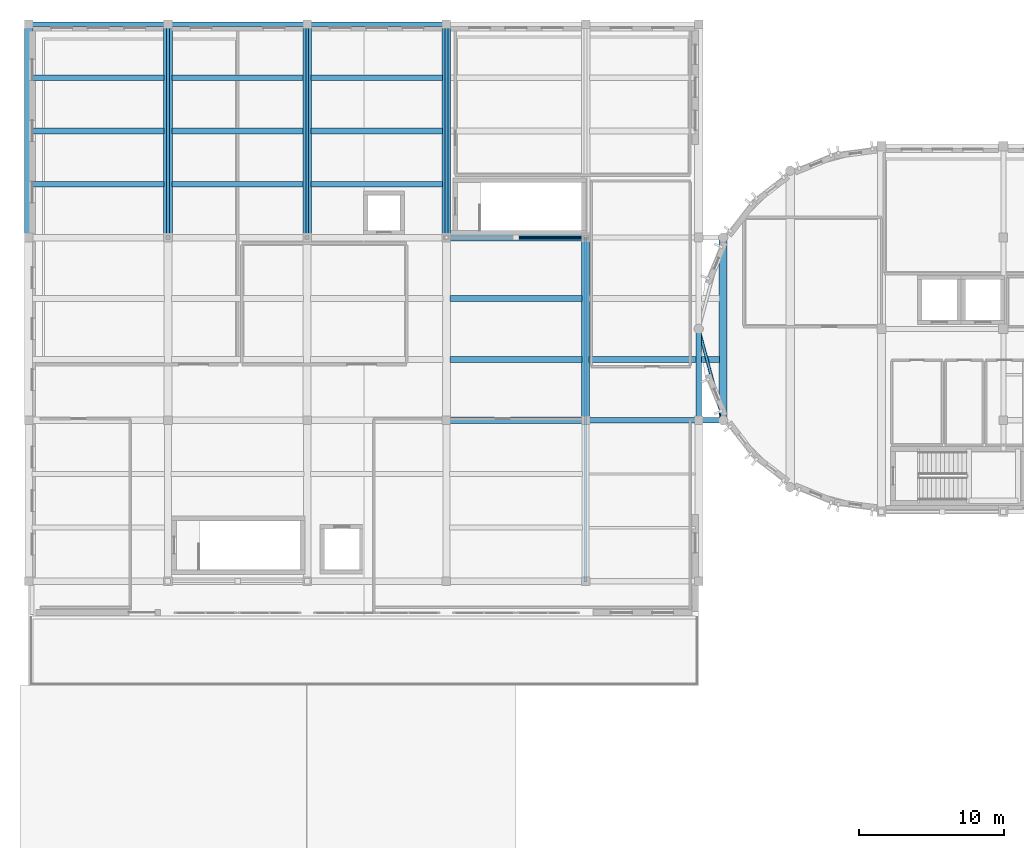
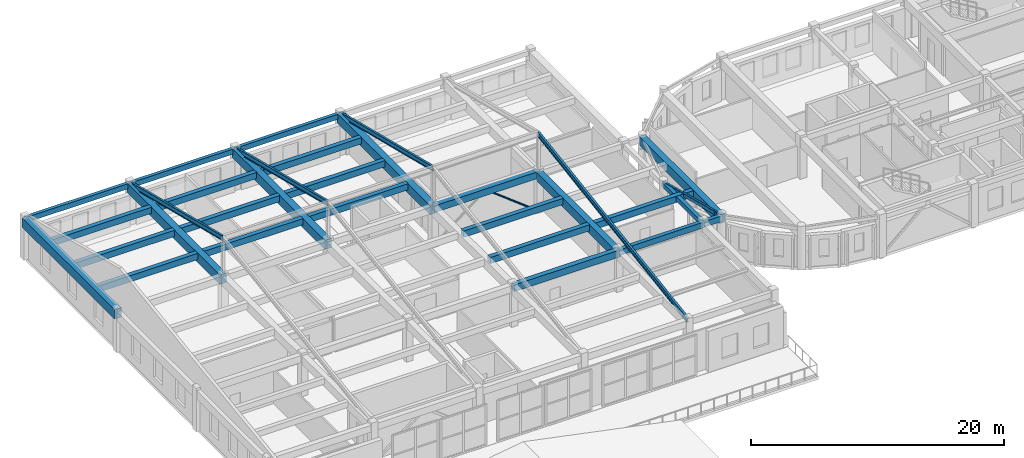
# One storey, part 10 of 29: 31 beams, 1 member.
"""IFC4 building model written with IfcOpenShell, lengths in metres."""

from ifc_helpers import new_model, si_unit, direction, frame, origin, origin_2d, place, context, subcontext, project, spatial, rectangle, hollow_rectangle, hollow_circle, i_section, extrude, material, material_profile, profile_set, type_object, element, save


model = new_model("IFC4")

# Units and contexts
model_context = context("Model", 3, precision=1e-05, world=origin(), true_north=direction((0.0, 1.0)))
body_context = subcontext(model_context, "Body", "Model", "MODEL_VIEW")
ifc_project = project(units=[si_unit("LENGTHUNIT", "METRE"), si_unit("AREAUNIT", "SQUARE_METRE"), si_unit("VOLUMEUNIT", "CUBIC_METRE"), si_unit("PLANEANGLEUNIT", "RADIAN"), si_unit("MASSUNIT", "GRAM", prefix="KILO")], contexts=[model_context])

# Site, building, storey
site_placement = place(None, origin())
site = spatial("IfcSite", under=ifc_project, at=site_placement, CompositionType="ELEMENT")
building_placement = place(site_placement, origin())
building = spatial("IfcBuilding", under=site, at=building_placement, Name="Tarnavel Promenade Courthouse", CompositionType="ELEMENT")
storey_placement = place(building_placement, frame((0.0, 0.0, 22.800048828125)))
storey = spatial("IfcBuildingStorey", under=building, at=storey_placement, Name="L06", CompositionType="ELEMENT", Elevation=22.800048828125)

# Beams
ifc_material_1 = material(Name="Concrete C40/50", Category="concrete")
ifc_material_profile_1 = material_profile(ifc_material_1, rectangle(XDim=0.39990234375, YDim=0.60009765625, at=origin_2d()), Name="PT 400x600")
ifc_profile_set_1 = profile_set([ifc_material_profile_1], Name="Concrete C40/50")
beam_type_1 = type_object("IfcBeamType", Name="Concrete C40/50 BM-PT-400x600 (PT 400x600)", PredefinedType="JOIST", material=ifc_profile_set_1)
for number, where, z_axis, x_axis, name in (
    (1, (29.044921875, 89.699951171875, 3.6650390625), (1.0, 0.0, 0.0), (0.0, 1.0, 0.0), "L06 Secondary Floor Rib 2488"),
    (2, (29.044921875, 93.89990234375, 3.6650390625), (1.0, 0.0, 0.0), (0.0, 1.0, 0.0), "L06 Secondary Floor Rib 2489"),
):
    element("IfcBeam", number, at=place(storey_placement, frame(where, z_axis=z_axis, x_axis=x_axis)), inside=storey, type_object=beam_type_1, Name=name, PredefinedType="JOIST", context=body_context, shape_type="SweptSolid", body=[
        extrude(rectangle(XDim=0.39990234375, YDim=0.60009765625, at=origin_2d()), origin(), (0.0, 0.0, 1.0), 9.110107421875),
    ])
beam_1_placement = place(storey_placement, frame((38.64501953125, 89.699951171875, 3.639892578125), z_axis=(1.0, 0.0, 0.0), x_axis=(0.0, 1.0, 0.0)))
element("IfcBeam", 3, at=beam_1_placement, inside=storey, type_object=beam_type_1, Name="L06 Secondary Floor Rib 2490", PredefinedType="JOIST", context=body_context, shape_type="SweptSolid", body=[
    extrude(rectangle(XDim=0.39990234375, YDim=0.60009765625, at=origin_2d()), origin(), (0.0, 0.0, 1.0), 8.998046875),
])
for number, where, z_axis, x_axis, name in (
    (4, (0.27001953125, 101.77490234375, 3.6650390625), (1.0, 0.0, 0.0), (0.0, 1.0, 0.0), "L06 Secondary Floor Rib 2492"),
    (5, (0.27001953125, 105.449951171875, 3.6650390625), (1.0, 0.0, 0.0), (0.0, 1.0, 0.0), "L06 Secondary Floor Rib 2493"),
    (6, (0.27001953125, 109.125, 3.6650390625), (1.0, 0.0, 0.0), (0.0, 1.0, 0.0), "L06 Secondary Floor Rib 2494"),
):
    element("IfcBeam", number, at=place(storey_placement, frame(where, z_axis=z_axis, x_axis=x_axis)), inside=storey, type_object=beam_type_1, Name=name, PredefinedType="JOIST", context=body_context, shape_type="SweptSolid", body=[
        extrude(rectangle(XDim=0.39990234375, YDim=0.60009765625, at=origin_2d()), origin(), (0.0, 0.0, 1.0), 9.06005859375),
    ])
for number, where, z_axis, x_axis, name in (
    (7, (9.8701171875, 101.77490234375, 3.6650390625), (1.0, 0.0, 0.0), (0.0, 1.0, 0.0), "L06 Secondary Floor Rib 2495"),
    (8, (9.8701171875, 105.449951171875, 3.6650390625), (1.0, 0.0, 0.0), (0.0, 1.0, 0.0), "L06 Secondary Floor Rib 2496"),
    (9, (9.8701171875, 109.125, 3.6650390625), (1.0, 0.0, 0.0), (0.0, 1.0, 0.0), "L06 Secondary Floor Rib 2497"),
):
    element("IfcBeam", number, at=place(storey_placement, frame(where, z_axis=z_axis, x_axis=x_axis)), inside=storey, type_object=beam_type_1, Name=name, PredefinedType="JOIST", context=body_context, shape_type="SweptSolid", body=[
        extrude(rectangle(XDim=0.39990234375, YDim=0.60009765625, at=origin_2d()), origin(), (0.0, 0.0, 1.0), 9.059814453125),
    ])
for number, where, z_axis, x_axis, name in (
    (10, (19.469970703125, 101.77490234375, 3.6650390625), (1.0, 0.0, 0.0), (0.0, 1.0, 0.0), "L06 Secondary Floor Rib 2498"),
    (11, (19.469970703125, 105.449951171875, 3.6650390625), (1.0, 0.0, 0.0), (0.0, 1.0, 0.0), "L06 Secondary Floor Rib 2499"),
    (12, (19.469970703125, 109.125, 3.6650390625), (1.0, 0.0, 0.0), (0.0, 1.0, 0.0), "L06 Secondary Floor Rib 2500"),
):
    element("IfcBeam", number, at=place(storey_placement, frame(where, z_axis=z_axis, x_axis=x_axis)), inside=storey, type_object=beam_type_1, Name=name, PredefinedType="JOIST", context=body_context, shape_type="SweptSolid", body=[
        extrude(rectangle(XDim=0.39990234375, YDim=0.60009765625, at=origin_2d()), origin(), (0.0, 0.0, 1.0), 9.06005859375),
    ])
ifc_material_profile_2 = material_profile(ifc_material_1, rectangle(XDim=0.550048828125, YDim=0.85009765625, at=origin_2d()), Name="PT 550x850")
ifc_profile_set_2 = profile_set([ifc_material_profile_2], Name="Concrete C40/50")
beam_type_2 = type_object("IfcBeamType", Name="Concrete C40/50 BM-PT-550x850 (PT 550x850)", PredefinedType="T_BEAM", material=ifc_profile_set_2)
for number, where, z_axis, x_axis, name in (
    (13, (38.39990234375, 85.5, 3.514892578125), (0.0, 1.0, 0.0), (-1.0, 0.0, 0.0), "L06 Transverse Girder 2445"),
    (14, (47.88818359375, 85.5, 3.5400390625), (0.0, 1.0, 0.0), (-1.0, 0.0, 0.0), "L06 Transverse Girder 2451"),
):
    element("IfcBeam", number, at=place(storey_placement, frame(where, z_axis=z_axis, x_axis=x_axis)), inside=storey, type_object=beam_type_2, Name=name, PredefinedType="T_BEAM", context=body_context, shape_type="SweptSolid", body=[
        extrude(rectangle(XDim=0.550048828125, YDim=0.85009765625, at=origin_2d()), origin(), (0.0, 0.0, 1.0), 12.60009765625),
    ])
ifc_material_profile_3 = material_profile(ifc_material_1, rectangle(XDim=0.60009765625, YDim=0.89990234375, at=origin_2d()), Name="PT 600x900")
ifc_profile_set_3 = profile_set([ifc_material_profile_3], Name="Concrete C40/50")
beam_type_3 = type_object("IfcBeamType", Name="Concrete C40/50 BM-PT-600x900 (PT 600x900)", PredefinedType="T_BEAM", material=ifc_profile_set_3)
for number, where, z_axis, x_axis, name in (
    (15, (0.0, 98.10009765625, 3.514892578125), (0.0, 1.0, 0.0), (-1.0, 0.0, 0.0), "L06 Transverse Girder 2434"),
    (16, (9.60009765625, 98.10009765625, 3.514892578125), (0.0, 1.0, 0.0), (-1.0, 0.0, 0.0), "L06 Transverse Girder 2437"),
    (17, (19.199951171875, 98.10009765625, 3.514892578125), (0.0, 1.0, 0.0), (-1.0, 0.0, 0.0), "L06 Transverse Girder 2440"),
    (18, (28.800048828125, 98.10009765625, 3.514892578125), (0.0, 1.0, 0.0), (-1.0, 0.0, 0.0), "L06 Transverse Girder 2443"),
):
    element("IfcBeam", number, at=place(storey_placement, frame(where, z_axis=z_axis, x_axis=x_axis)), inside=storey, type_object=beam_type_3, Name=name, PredefinedType="T_BEAM", context=body_context, shape_type="SweptSolid", body=[
        extrude(rectangle(XDim=0.60009765625, YDim=0.89990234375, at=origin_2d()), origin(), (0.0, 0.0, 1.0), 14.699951171875),
    ])
ifc_material_profile_4 = material_profile(ifc_material_1, rectangle(XDim=0.35009765625, YDim=0.449951171875, at=origin_2d()), Name="RC 350x450")
ifc_profile_set_4 = profile_set([ifc_material_profile_4], Name="Concrete C40/50")
beam_type_4 = type_object("IfcBeamType", Name="Concrete C40/50 BM-RC-350x450 (RC 350x450)", PredefinedType="BEAM", material=ifc_profile_set_4)
beam_2_placement = place(storey_placement, frame((46.199951171875, 85.5, 3.71484375), z_axis=(0.0, 1.0, 0.0), x_axis=(-1.0, 0.0, 0.0)))
element("IfcBeam", 19, at=beam_2_placement, inside=storey, type_object=beam_type_4, Name="L06 Transverse Girder 2448", PredefinedType="BEAM", context=body_context, shape_type="SweptSolid", body=[
    extrude(rectangle(XDim=0.35009765625, YDim=0.449951171875, at=origin_2d()), origin(), (0.0, 0.0, 1.0), 6.300048828125),
])
ifc_material_profile_5 = material_profile(ifc_material_1, rectangle(XDim=0.35009765625, YDim=0.550048828125, at=origin_2d()), Name="RC 350x550")
ifc_profile_set_5 = profile_set([ifc_material_profile_5], Name="Concrete C40/50")
beam_type_5 = type_object("IfcBeamType", Name="Concrete C40/50 BM-RC-350x550 (RC 350x550)", PredefinedType="BEAM", material=ifc_profile_set_5)
beam_3_placement = place(storey_placement, frame((38.39990234375, 85.5, 3.6650390625), z_axis=(1.0, 0.0, 0.0), x_axis=(0.0, 1.0, 0.0)))
element("IfcBeam", 20, at=beam_3_placement, inside=storey, type_object=beam_type_5, Name="L06 Primary Longitudinal Beam 2405", PredefinedType="BEAM", context=body_context, shape_type="SweptSolid", body=[
    extrude(rectangle(XDim=0.35009765625, YDim=0.550048828125, at=origin_2d()), origin(), (0.0, 0.0, 1.0), 7.800048828125),
])
beam_4_placement = place(storey_placement, frame((46.199951171875, 85.5, 3.68994140625), z_axis=(1.0, 0.0, 0.0), x_axis=(0.0, 1.0, 0.0)))
element("IfcBeam", 21, at=beam_4_placement, inside=storey, type_object=beam_type_5, Name="L06 Primary Longitudinal Beam 2406", PredefinedType="BEAM", context=body_context, shape_type="SweptSolid", body=[
    extrude(rectangle(XDim=0.35009765625, YDim=0.550048828125, at=origin_2d()), origin(), (0.0, 0.0, 1.0), 1.688232421875),
])
ifc_material_profile_6 = material_profile(ifc_material_1, rectangle(XDim=0.449951171875, YDim=0.64990234375, at=origin_2d()), Name="RC 450x650")
ifc_profile_set_6 = profile_set([ifc_material_profile_6], Name="Concrete C40/50")
beam_type_6 = type_object("IfcBeamType", Name="Concrete C40/50 BM-RC-450x650 (RC 450x650)", PredefinedType="T_BEAM", material=ifc_profile_set_6)
for number, where, z_axis, x_axis, name in (
    (22, (28.800048828125, 85.5, 3.639892578125), (1.0, 0.0, 0.0), (0.0, 1.0, 0.0), "L06 Primary Longitudinal Beam 2404"),
    (23, (28.800048828125, 98.10009765625, 3.639892578125), (1.0, 0.0, 0.0), (0.0, 1.0, 0.0), "L06 Primary Longitudinal Beam 2419"),
):
    element("IfcBeam", number, at=place(storey_placement, frame(where, z_axis=z_axis, x_axis=x_axis)), inside=storey, type_object=beam_type_6, Name=name, PredefinedType="T_BEAM", context=body_context, shape_type="SweptSolid", body=[
        extrude(rectangle(XDim=0.449951171875, YDim=0.64990234375, at=origin_2d()), origin(), (0.0, 0.0, 1.0), 9.599853515625),
    ])
ifc_material_profile_7 = material_profile(ifc_material_1, rectangle(XDim=0.300048828125, YDim=0.5, at=origin_2d()), Name="RC 300x500")
ifc_profile_set_7 = profile_set([ifc_material_profile_7], Name="Concrete C40/50")
beam_type_7 = type_object("IfcBeamType", Name="Concrete C40/50 BM-SP-300x500 (RC 300x500)", PredefinedType="SPANDREL", material=ifc_profile_set_7)
beam_5_placement = place(storey_placement, frame((0.0, 112.800048828125, 3.71484375), z_axis=(1.0, 0.0, 0.0), x_axis=(0.0, 1.0, 0.0)))
element("IfcBeam", 24, at=beam_5_placement, inside=storey, type_object=beam_type_7, Name="L06 Primary Longitudinal Beam 2427", PredefinedType="SPANDREL", context=body_context, shape_type="SweptSolid", body=[
    extrude(rectangle(XDim=0.300048828125, YDim=0.5, at=origin_2d()), origin(), (0.0, 0.0, 1.0), 9.60009765625),
])
beam_6_placement = place(storey_placement, frame((9.60009765625, 112.800048828125, 3.71484375), z_axis=(1.0, 0.0, 0.0), x_axis=(0.0, 1.0, 0.0)))
element("IfcBeam", 25, at=beam_6_placement, inside=storey, type_object=beam_type_7, Name="L06 Primary Longitudinal Beam 2428", PredefinedType="SPANDREL", context=body_context, shape_type="SweptSolid", body=[
    extrude(rectangle(XDim=0.300048828125, YDim=0.5, at=origin_2d()), origin(), (0.0, 0.0, 1.0), 9.599853515625),
])
beam_7_placement = place(storey_placement, frame((19.199951171875, 112.800048828125, 3.71484375), z_axis=(1.0, 0.0, 0.0), x_axis=(0.0, 1.0, 0.0)))
element("IfcBeam", 26, at=beam_7_placement, inside=storey, type_object=beam_type_7, Name="L06 Primary Longitudinal Beam 2429", PredefinedType="SPANDREL", context=body_context, shape_type="SweptSolid", body=[
    extrude(rectangle(XDim=0.300048828125, YDim=0.5, at=origin_2d()), origin(), (0.0, 0.0, 1.0), 9.60009765625),
])
ifc_material_2 = material(Name="Steel S355J2", Category="steel")
ifc_material_profile_8 = material_profile(ifc_material_2, i_section(OverallWidth=0.18994140625, OverallDepth=0.449951171875, WebThickness=0.009521484375, FlangeThickness=0.0146484375, FilletRadius=0.02099609375, at=origin_2d()), Name="IPE 450")
ifc_profile_set_8 = profile_set([ifc_material_profile_8], Name="Steel S355J2")
beam_type_8 = type_object("IfcBeamType", Name="Steel S355J2 BM-ST-IPE450 (IPE 450)", PredefinedType="BEAM", material=ifc_profile_set_8)
for number, where, z_axis, x_axis, name in (
    (27, (9.60009765625, 98.10009765625, 7.449951171875), (0.0, 0.970530944295, -0.24097652617), (-1.0, 0.0, 0.0), "Trial Wing Roof Rafter N"),
    (28, (19.199951171875, 98.10009765625, 7.449951171875), (0.0, 0.970530944295, -0.24097652617), (-1.0, 0.0, 0.0), "Trial Wing Roof Rafter N"),
    (29, (28.800048828125, 98.10009765625, 7.449951171875), (0.0, 0.970530944295, -0.24097652617), (-1.0, 0.0, 0.0), "Trial Wing Roof Rafter N"),
):
    element("IfcBeam", number, at=place(storey_placement, frame(where, z_axis=z_axis, x_axis=x_axis)), inside=storey, type_object=beam_type_8, Name=name, PredefinedType="BEAM", context=body_context, shape_type="SweptSolid", body=[
        extrude(i_section(OverallWidth=0.18994140625, OverallDepth=0.449951171875, WebThickness=0.009521484375, FlangeThickness=0.0146484375, FilletRadius=0.02099609375, at=origin_2d()), origin(), (0.0, 0.0, 1.0), 15.146240234375),
    ])
beam_8_placement = place(storey_placement, frame((38.39990234375, 74.39990234375, 3.800048828125), z_axis=(0.0, 0.988348381141, 0.152208664325), x_axis=(-1.0, 0.0, 0.0)))
element("IfcBeam", 30, at=beam_8_placement, inside=storey, type_object=beam_type_8, Name="Trial Wing Roof Rafter S", PredefinedType="BEAM", context=body_context, shape_type="SweptSolid", body=[
    extrude(i_section(OverallWidth=0.18994140625, OverallDepth=0.449951171875, WebThickness=0.009521484375, FlangeThickness=0.0146484375, FilletRadius=0.02099609375, at=origin_2d()), origin(), (0.0, 0.0, 1.0), 23.9794921875),
])
ifc_material_profile_9 = material_profile(ifc_material_2, hollow_rectangle(XDim=0.199951171875, YDim=0.35009765625, WallThickness=0.012451171875, InnerFilletRadius=0.012451171875, OuterFilletRadius=0.02490234375, at=origin_2d()), Name="RHS 350x200x12.5")
ifc_profile_set_9 = profile_set([ifc_material_profile_9], Name="Steel S355J2")
beam_type_9 = type_object("IfcBeamType", Name="Steel S355J2 BM-ST-RHS350 (RHS 350x200x12.5)", PredefinedType="SPANDREL", material=ifc_profile_set_9)
beam_9_placement = place(storey_placement, frame((46.199951171875, 91.800048828125, 3.7900390625), z_axis=(0.258838989821, -0.965920481897, 0.0), x_axis=(0.965920481897, 0.258838989821, 0.0)))
element("IfcBeam", 31, at=beam_9_placement, inside=storey, type_object=beam_type_9, Name="L06 Drum Ring Spandrel 2512", PredefinedType="SPANDREL", context=body_context, shape_type="SweptSolid", body=[
    extrude(hollow_rectangle(XDim=0.199951171875, YDim=0.35009765625, WallThickness=0.012451171875, InnerFilletRadius=0.012451171875, OuterFilletRadius=0.02490234375, at=origin_2d()), origin(), (0.0, 0.0, 1.0), 6.522216796875),
])

# Member
ifc_material_profile_10 = material_profile(ifc_material_2, hollow_circle(Radius=0.084228515625, WallThickness=0.008056640625, at=origin_2d()), Name="CHS 168.3x8")
ifc_profile_set_10 = profile_set([ifc_material_profile_10], Name="Steel S355J2")
member_type = type_object("IfcMemberType", Name="Steel S355J2 MEM-BR-CHS168 (CHS 168.3x8)", PredefinedType="BRACE", material=ifc_profile_set_10)
member_placement = place(storey_placement, frame((38.39990234375, 98.10009765625, 0.0), z_axis=(-0.790814145279, 0.0, 0.612056359845), x_axis=(0.0, -1.0, 0.0)))
element("IfcMember", 32, at=member_placement, inside=storey, type_object=member_type, Name="L06 V2 Chevron Brace B 041", PredefinedType="BRACE", context=body_context, shape_type="SweptSolid", body=[
    extrude(hollow_circle(Radius=0.084228515625, WallThickness=0.008056640625, at=origin_2d()), origin(), (0.0, 0.0, 1.0), 6.0693359375),
])

save(model, "model.ifc")
